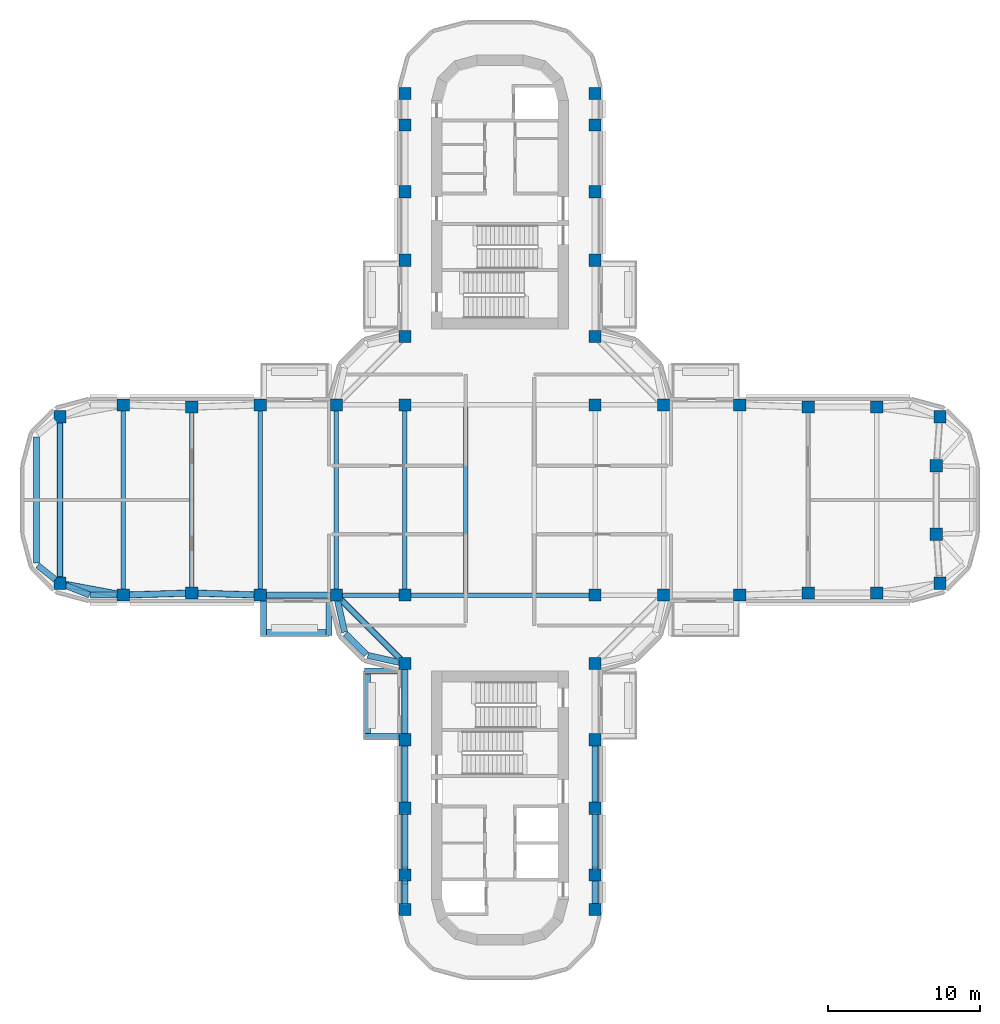
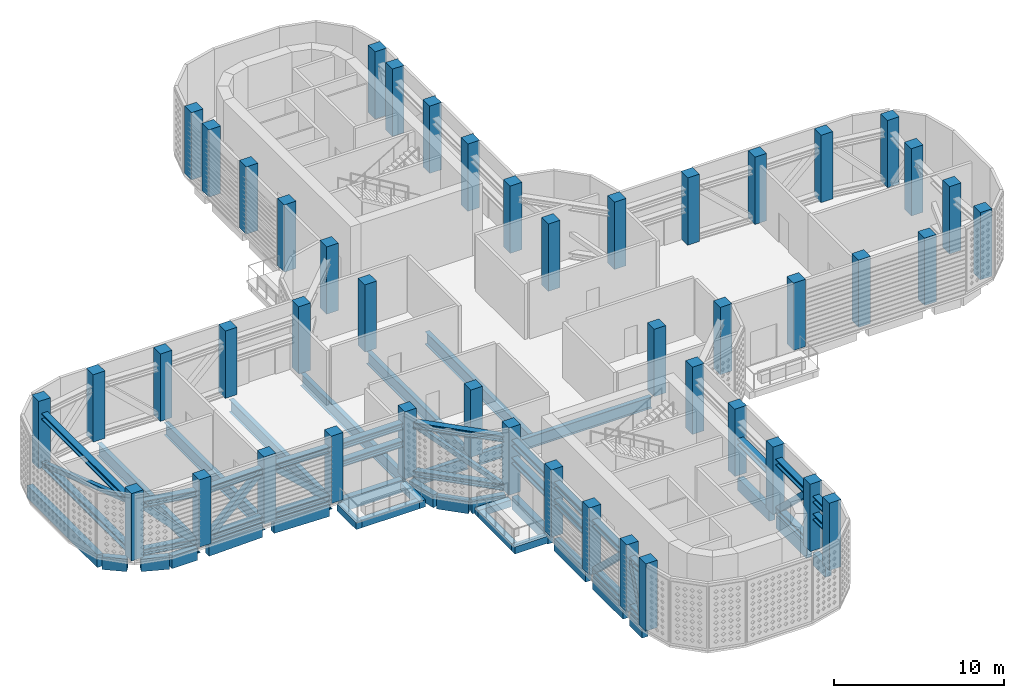
# One storey, part 1 of 21: 46 columns, 33 members, 31 beams.
"""IFC4 building model written with IfcOpenShell, lengths in metres."""

import ifcopenshell
import ifcopenshell.guid

model = None  # the IFC model being written
_history = None  # IfcOwnerHistory: only IFC2X3 demands one
_inside = {}  # id of a spatial element -> (the spatial element, [elements in it])
_under = {}  # id of a project, library or spatial element -> (it, [spatial elements below it])
_declared = {}  # id of a project -> (the project, [libraries it declares])
_typed = {}  # id of a type object -> (the type object, [elements of that type])
_made_of = {}  # id of a material, layer set ... -> (it, [elements and type objects made of it])


def new_model(schema):
    """Start an empty IFC model of exactly this schema.

    Asked for "IFC4X3", IfcOpenShell would pick the latest addendum, in which some entities
    have other attributes; the version numbers below select the first issue.
    IFC2X3 requires an IfcOwnerHistory on every rooted entity: one is made here for all.
    """
    global model, _history
    if schema == "IFC4X3":
        model = ifcopenshell.file(schema_version=(4, 3, 0, 0))
    else:
        model = ifcopenshell.file(schema=schema)
    _inside.clear()
    _under.clear()
    _declared.clear()
    _typed.clear()
    _made_of.clear()
    _history = None
    if model.schema == "IFC2X3":
        org = make("IfcOrganization", Name="unknown")
        user = make(
            "IfcPersonAndOrganization",
            ThePerson=make("IfcPerson", FamilyName="unknown"),
            TheOrganization=org,
        )
        app = make(
            "IfcApplication",
            ApplicationDeveloper=org,
            Version="unknown",
            ApplicationFullName="unknown",
            ApplicationIdentifier="unknown",
        )
        _history = make(
            "IfcOwnerHistory",
            OwningUser=user,
            OwningApplication=app,
            ChangeAction="ADDED",
            CreationDate=0,
        )
    return model


def make(cls, **values):
    """One entity of the class cls with the attributes given. An attribute that is None is left unset."""
    return model.create_entity(
        cls, **{name: value for name, value in values.items() if value is not None}
    )


def rooted(cls, **values):
    """An entity with a GlobalId (a new one), such as an element, a storey or a relation."""
    return make(cls, GlobalId=ifcopenshell.guid.new(), OwnerHistory=_history, **values)


def si_unit(unit_type, name, prefix=None):
    """IfcSIUnit, for example si_unit("LENGTHUNIT", "METRE", prefix="MILLI")."""
    return make("IfcSIUnit", UnitType=unit_type, Prefix=prefix, Name=name)


def assignment(units):
    """IfcUnitAssignment: the units of a project."""
    return None if units is None else make("IfcUnitAssignment", Units=units)


def point(xyz):
    """IfcCartesianPoint."""
    return None if xyz is None else make("IfcCartesianPoint", Coordinates=xyz)


def direction(xyz):
    """IfcDirection."""
    return None if xyz is None else make("IfcDirection", DirectionRatios=xyz)


def frame(location, z_axis=None, x_axis=None):
    """IfcAxis2Placement3D, a coordinate frame: its origin and axes. An axis left out is left unset."""
    return make(
        "IfcAxis2Placement3D",
        Location=point(location),
        Axis=direction(z_axis),
        RefDirection=direction(x_axis),
    )


def frame_2d(location, x_axis=None):
    """IfcAxis2Placement2D, a coordinate frame in the plane: its origin and x axis."""
    return make(
        "IfcAxis2Placement2D", Location=point(location), RefDirection=direction(x_axis)
    )


def origin():
    """The frame at (0, 0, 0) with its axes left unset."""
    return frame((0.0, 0.0, 0.0))


def origin_2d():
    """The frame at (0, 0) in the plane with its x axis left unset."""
    return frame_2d((0.0, 0.0))


def place(relative_to, where):
    """IfcLocalPlacement: puts the frame where relative to a parent placement (None: the world)."""
    return make(
        "IfcLocalPlacement", PlacementRelTo=relative_to, RelativePlacement=where
    )


def context(
    kind, dimensions, precision=None, world=None, true_north=None, identifier=None
):
    """IfcGeometricRepresentationContext, for example the 3D "Model" context."""
    return make(
        "IfcGeometricRepresentationContext",
        ContextIdentifier=identifier,
        ContextType=kind,
        CoordinateSpaceDimension=dimensions,
        Precision=precision,
        WorldCoordinateSystem=world,
        TrueNorth=true_north,
    )


def subcontext(parent, identifier, kind, view, scale=None):
    """IfcGeometricRepresentationSubContext, for example "Body" below "Model"."""
    return make(
        "IfcGeometricRepresentationSubContext",
        ContextIdentifier=identifier,
        ContextType=kind,
        ParentContext=parent,
        TargetScale=scale,
        TargetView=view,
    )


def project(units=None, contexts=None):
    """IfcProject with its units and contexts."""
    return rooted(
        "IfcProject",
        Name="project",
        RepresentationContexts=contexts,
        UnitsInContext=assignment(units),
    )


def spatial(cls, under=None, at=None, **own):
    """A site, building, storey or space (cls), placed at a placement, below another one or the project."""
    s = rooted(cls, ObjectPlacement=at, **own)
    if under is not None:
        _under.setdefault(under.id(), (under, []))[1].append(s)
    return s


def profile(cls, at=None, kind="AREA", **sizes):
    """A parametric profile (cls). Its sizes go by their IFC names, for example OverallWidth=200.0."""
    return make(cls, ProfileType=kind, Position=at, **sizes)


def rectangle(**sizes):
    """IfcRectangleProfileDef."""
    return profile("IfcRectangleProfileDef", **sizes)


def hollow_rectangle(**sizes):
    """IfcRectangleHollowProfileDef."""
    return profile("IfcRectangleHollowProfileDef", **sizes)


def i_section(**sizes):
    """IfcIShapeProfileDef."""
    return profile("IfcIShapeProfileDef", **sizes)


def extrude(swept, where, along, depth):
    """IfcExtrudedAreaSolid: the profile swept, set in the frame where, extruded along a direction by depth."""
    return make(
        "IfcExtrudedAreaSolid",
        SweptArea=swept,
        Position=where,
        ExtrudedDirection=direction(along),
        Depth=depth,
    )


def shape(context_of_items, identifier, shape_type, items):
    """IfcShapeRepresentation: the items that make up one representation, for example the "Body"."""
    return make(
        "IfcShapeRepresentation",
        ContextOfItems=context_of_items,
        RepresentationIdentifier=identifier,
        RepresentationType=shape_type,
        Items=items,
    )


def material(Name=None, Category=None):
    """IfcMaterial."""
    return make("IfcMaterial", Name=Name, Category=Category)


def material_profile(
    of_material, cross_section, Name=None, Category=None, Priority=None
):
    """IfcMaterialProfile: a cross section and its material."""
    return make(
        "IfcMaterialProfile",
        Name=Name,
        Material=of_material,
        Profile=cross_section,
        Priority=Priority,
        Category=Category,
    )


def profile_set(profiles, Name=None, composite=None):
    """IfcMaterialProfileSet."""
    return make(
        "IfcMaterialProfileSet",
        Name=Name,
        MaterialProfiles=profiles,
        CompositeProfile=composite,
    )


def made_of(thing, what):
    """Note that an element or type object is made of a material, layer set ...; save() writes the relation."""
    if what is not None:
        _made_of.setdefault(what.id(), (what, []))[1].append(thing)
    return thing


def type_object(cls, material=None, **own):
    """A type object (cls), such as IfcWallType, which elements share."""
    return made_of(rooted(cls, **own), material)


def element(
    cls,
    number,
    at=None,
    inside=None,
    cuts=None,
    type_object=None,
    material=None,
    context=None,
    identifier="Body",
    shape_type=None,
    held_by="IfcProductDefinitionShape",
    body=None,
    shapes=None,
    **own,
):
    """One element of the class cls, such as IfcWall. Its Tag is "e" and its number.

    at: its placement. inside: the storey or other place that contains it. cuts: it is an
    opening in that element (IfcRelVoidsElement). A single representation is given by context,
    identifier, shape_type and body (its items); several are given by shapes. held_by: the class
    of the entity that holds the representations. save() writes the other relations.
    """
    e = rooted(cls, Tag="e%d" % number, ObjectPlacement=at, **own)
    if body is not None:
        shapes = [shape(context, identifier, shape_type, body)]
    if shapes is not None:
        e.Representation = make(held_by, Representations=shapes)
    if inside is not None:
        _inside.setdefault(inside.id(), (inside, []))[1].append(e)
    if cuts is not None:
        rooted(
            "IfcRelVoidsElement", RelatingBuildingElement=cuts, RelatedOpeningElement=e
        )
    if type_object is not None:
        _typed.setdefault(type_object.id(), (type_object, []))[1].append(e)
    return made_of(e, material)


def aggregate(whole, parts):
    """IfcRelAggregates: a whole, such as a stair, and the parts it consists of."""
    return rooted("IfcRelAggregates", RelatingObject=whole, RelatedObjects=parts)


def save(model, path):
    """Write the relations noted so far, then the file.

    IfcRelAggregates (storeys below a building ...), IfcRelContainedInSpatialStructure (elements
    in a storey), IfcRelDefinesByType, IfcRelAssociatesMaterial and IfcRelDeclares: one each for
    every whole, place, type object, material and project.
    """
    for whole, parts in _under.values():
        aggregate(whole, parts)
    for where, things in _inside.values():
        rooted(
            "IfcRelContainedInSpatialStructure",
            RelatedElements=things,
            RelatingStructure=where,
        )
    for kind, things in _typed.values():
        rooted("IfcRelDefinesByType", RelatedObjects=things, RelatingType=kind)
    for what, things in _made_of.values():
        rooted("IfcRelAssociatesMaterial", RelatedObjects=things, RelatingMaterial=what)
    for by, libraries in _declared.values():
        rooted("IfcRelDeclares", RelatingContext=by, RelatedDefinitions=libraries)
    model.write(path)


model = new_model("IFC4")

# Units and contexts
model_context = context("Model", 3, precision=1e-05, world=origin(), true_north=direction((0.0, 1.0)))
body_context = subcontext(model_context, "Body", "Model", "MODEL_VIEW")
ifc_project = project(units=[si_unit("LENGTHUNIT", "METRE"), si_unit("AREAUNIT", "SQUARE_METRE"), si_unit("VOLUMEUNIT", "CUBIC_METRE"), si_unit("PLANEANGLEUNIT", "RADIAN"), si_unit("MASSUNIT", "GRAM", prefix="KILO")], contexts=[model_context])

# Site, building, storey
site_placement = place(None, origin())
site = spatial("IfcSite", under=ifc_project, at=site_placement, CompositionType="ELEMENT")
building_placement = place(site_placement, origin())
building = spatial("IfcBuilding", under=site, at=building_placement, Name="Zarbagh Exchange Tower", CompositionType="ELEMENT")
storey_placement = place(building_placement, frame((0.0, 0.0, 190.39990234375)))
storey = spatial("IfcBuildingStorey", under=building, at=storey_placement, Name="L46", CompositionType="ELEMENT", Elevation=190.39990234375)

# Columns
ifc_material_1 = material(Name="Concrete C50/60", Category="concrete")
ifc_material_profile_1 = material_profile(ifc_material_1, rectangle(XDim=0.800048828125, YDim=0.800048828125, at=origin_2d()), Name="RC column 800 x 800 C50/60")
ifc_profile_set_1 = profile_set([ifc_material_profile_1], Name="Concrete C50/60")
column_type = type_object("IfcColumnType", Name="RC column 800 x 800 C50/60", PredefinedType="COLUMN", material=ifc_profile_set_1)
for number, where, z_axis, x_axis, name in (
    (1, (-28.907958984375, -5.47509765625, 0.0), (0.0, 0.0, 1.0), (1.0, 0.0, 0.0), "C4 11/R"),
    (2, (-28.907958984375, 5.47509765625, 0.0), (0.0, 0.0, 1.0), (1.0, 0.0, 0.0), "C4 11/U"),
    (3, (-24.75, -6.25, 0.0), (0.0, 0.0, 1.0), (1.0, 0.0, 0.0), "C4 12/R"),
    (4, (-24.75, 6.25, 0.0), (0.0, 0.0, 1.0), (1.0, 0.0, 0.0), "C4 12/U"),
    (5, (-20.25, -6.110107421875, 0.0), (0.0, 0.0, 1.0), (1.0, 0.0, 0.0), "C4 13/R"),
    (6, (-20.25, 6.110107421875, 0.0), (0.0, 0.0, 1.0), (1.0, 0.0, 0.0), "C4 13/U"),
    (7, (-15.75, -6.25, 0.0), (0.0, 0.0, 1.0), (1.0, 0.0, 0.0), "C4 14/R"),
    (8, (-15.75, 6.25, 0.0), (0.0, 0.0, 1.0), (1.0, 0.0, 0.0), "C4 14/U"),
    (9, (-10.75, -6.25, 0.0), (0.0, 0.0, 1.0), (1.0, 0.0, 0.0), "C4 15/R"),
    (10, (-10.75, 6.25, 0.0), (0.0, 0.0, 1.0), (1.0, 0.0, 0.0), "C4 15/U"),
    (11, (-6.25, -26.89990234375, 0.0), (0.0, 0.0, 1.0), (1.0, 0.0, 0.0), "C4 16/L"),
    (12, (-6.25, -24.64990234375, 0.0), (0.0, 0.0, 1.0), (1.0, 0.0, 0.0), "C4 16/M"),
    (13, (-6.25, -20.25, 0.0), (0.0, 0.0, 1.0), (1.0, 0.0, 0.0), "C4 16/N"),
    (14, (-6.25, -15.75, 0.0), (0.0, 0.0, 1.0), (1.0, 0.0, 0.0), "C4 16/P"),
    (15, (-6.25, -10.75, 0.0), (0.0, 0.0, 1.0), (1.0, 0.0, 0.0), "C4 16/Q"),
    (16, (-6.25, -6.25, 0.0), (0.0, 0.0, 1.0), (1.0, 0.0, 0.0), "C4 16/R"),
    (17, (-6.25, 6.25, 0.0), (0.0, 0.0, 1.0), (1.0, 0.0, 0.0), "C4 16/U"),
    (18, (-6.25, 10.75, 0.0), (0.0, 0.0, 1.0), (1.0, 0.0, 0.0), "C4 16/V"),
    (19, (-6.25, 15.75, 0.0), (0.0, 0.0, 1.0), (1.0, 0.0, 0.0), "C4 16/W"),
    (20, (-6.25, 20.25, 0.0), (0.0, 0.0, 1.0), (1.0, 0.0, 0.0), "C4 16/X"),
    (21, (-6.25, 24.64990234375, 0.0), (0.0, 0.0, 1.0), (1.0, 0.0, 0.0), "C4 16/Y"),
    (22, (-6.25, 26.699951171875, 0.0), (0.0, 0.0, 1.0), (1.0, 0.0, 0.0), "C4 16/Z"),
    (23, (6.25, -26.89990234375, 0.0), (0.0, 0.0, 1.0), (1.0, 0.0, 0.0), "C4 19/L"),
    (24, (6.25, -24.64990234375, 0.0), (0.0, 0.0, 1.0), (1.0, 0.0, 0.0), "C4 19/M"),
    (25, (6.25, -20.25, 0.0), (0.0, 0.0, 1.0), (1.0, 0.0, 0.0), "C4 19/N"),
    (26, (6.25, -15.75, 0.0), (0.0, 0.0, 1.0), (1.0, 0.0, 0.0), "C4 19/P"),
    (27, (6.25, -10.75, 0.0), (0.0, 0.0, 1.0), (1.0, 0.0, 0.0), "C4 19/Q"),
    (28, (6.25, -6.25, 0.0), (0.0, 0.0, 1.0), (1.0, 0.0, 0.0), "C4 19/R"),
    (29, (6.25, 6.25, 0.0), (0.0, 0.0, 1.0), (1.0, 0.0, 0.0), "C4 19/U"),
    (30, (6.25, 10.75, 0.0), (0.0, 0.0, 1.0), (1.0, 0.0, 0.0), "C4 19/V"),
    (31, (6.25, 15.75, 0.0), (0.0, 0.0, 1.0), (1.0, 0.0, 0.0), "C4 19/W"),
    (32, (6.25, 20.25, 0.0), (0.0, 0.0, 1.0), (1.0, 0.0, 0.0), "C4 19/X"),
    (33, (6.25, 24.64990234375, 0.0), (0.0, 0.0, 1.0), (1.0, 0.0, 0.0), "C4 19/Y"),
    (34, (6.25, 26.699951171875, 0.0), (0.0, 0.0, 1.0), (1.0, 0.0, 0.0), "C4 19/Z"),
    (35, (10.75, -6.25, 0.0), (0.0, 0.0, 1.0), (1.0, 0.0, 0.0), "C4 20/R"),
    (36, (10.75, 6.25, 0.0), (0.0, 0.0, 1.0), (1.0, 0.0, 0.0), "C4 20/U"),
    (37, (15.75, -6.25, 0.0), (0.0, 0.0, 1.0), (1.0, 0.0, 0.0), "C4 21/R"),
    (38, (15.75, 6.25, 0.0), (0.0, 0.0, 1.0), (1.0, 0.0, 0.0), "C4 21/U"),
    (39, (20.25, -6.110107421875, 0.0), (0.0, 0.0, 1.0), (1.0, 0.0, 0.0), "C4 22/R"),
    (40, (20.25, 6.110107421875, 0.0), (0.0, 0.0, 1.0), (1.0, 0.0, 0.0), "C4 22/U"),
    (41, (24.75, -6.110107421875, 0.0), (0.0, 0.0, 1.0), (1.0, 0.0, 0.0), "C4 23/R"),
    (42, (24.75, 6.110107421875, 0.0), (0.0, 0.0, 1.0), (1.0, 0.0, 0.0), "C4 23/U"),
    (43, (28.907958984375, -5.47509765625, 0.0), (0.0, 0.0, 1.0), (1.0, 0.0, 0.0), "C4 24/R"),
    (44, (28.669921875, -2.25, 0.0), (0.0, 0.0, 1.0), (1.0, 0.0, 0.0), "C4 24/S"),
    (45, (28.669921875, 2.25, 0.0), (0.0, 0.0, 1.0), (1.0, 0.0, 0.0), "C4 24/T"),
    (46, (28.907958984375, 5.47509765625, 0.0), (0.0, 0.0, 1.0), (1.0, 0.0, 0.0), "C4 24/U"),
):
    element("IfcColumn", number, at=place(storey_placement, frame(where, z_axis=z_axis, x_axis=x_axis)), inside=storey, type_object=column_type, Name=name, PredefinedType="COLUMN", context=body_context, shape_type="SweptSolid", body=[
        extrude(rectangle(XDim=0.800048828125, YDim=0.800048828125, at=origin_2d()), origin(), (0.0, 0.0, 1.0), 4.85009765625),
    ])

# Members
ifc_material_2 = material(Name="Steel ASTM A992 Gr 50", Category="steel")
ifc_material_profile_2 = material_profile(ifc_material_2, i_section(OverallWidth=0.41650390625, OverallDepth=0.444580078125, WebThickness=0.0390625, FlangeThickness=0.062744140625, at=origin_2d()), Name="W14X342")
ifc_profile_set_2 = profile_set([ifc_material_profile_2], Name="Steel ASTM A992 Gr 50")
member_type_1 = type_object("IfcMemberType", Name="Belt truss chord W14X342", PredefinedType="CHORD", material=ifc_profile_set_2)
for number, where, z_axis, x_axis, name in (
    (47, (-6.53271484375, -10.46728515625, 0.222412109375), (-0.707106781187, 0.707106781187, 0.0), (-0.707106781187, -0.707106781187, 0.0), "Belt truss chord"),
    (48, (-6.53271484375, -10.46728515625, 3.7080078125), (-0.707106781187, 0.707106781187, 0.0), (-0.707106781187, -0.707106781187, 0.0), "Belt truss chord"),
):
    element("IfcMember", number, at=place(storey_placement, frame(where, z_axis=z_axis, x_axis=x_axis)), inside=storey, type_object=member_type_1, Name=name, PredefinedType="CHORD", context=body_context, shape_type="SweptSolid", body=[
        extrude(i_section(OverallWidth=0.41650390625, OverallDepth=0.444580078125, WebThickness=0.0390625, FlangeThickness=0.062744140625, at=origin_2d()), origin(), (0.0, 0.0, 1.0), 5.564208984375),
    ])
for number, where, z_axis, x_axis, name in (
    (49, (-28.907958984375, -5.074951171875, 0.222412109375), (0.0, 1.0, 0.0), (-1.0, 0.0, 0.0), "Belt truss chord"),
    (50, (-28.907958984375, -5.074951171875, 3.7080078125), (0.0, 1.0, 0.0), (-1.0, 0.0, 0.0), "Belt truss chord"),
):
    element("IfcMember", number, at=place(storey_placement, frame(where, z_axis=z_axis, x_axis=x_axis)), inside=storey, type_object=member_type_1, Name=name, PredefinedType="CHORD", context=body_context, shape_type="SweptSolid", body=[
        extrude(i_section(OverallWidth=0.41650390625, OverallDepth=0.444580078125, WebThickness=0.0390625, FlangeThickness=0.062744140625, at=origin_2d()), origin(), (0.0, 0.0, 1.0), 10.14990234375),
    ])
ifc_material_3 = material(Name="Steel ASTM A500 Gr C", Category="steel")
ifc_material_profile_3 = material_profile(ifc_material_3, hollow_rectangle(XDim=0.3046875, YDim=0.3046875, WallThickness=0.014892578125, at=origin_2d()), Name="HSS12X12X5/8")
ifc_profile_set_3 = profile_set([ifc_material_profile_3], Name="Steel ASTM A500 Gr C")
member_type_2 = type_object("IfcMemberType", Name="Belt truss diagonal HSS12X12X5/8", PredefinedType="BRACE", material=ifc_profile_set_3)
member_1_placement = place(storey_placement, frame((-6.53271484375, -10.46728515625, 0.222412109375), z_axis=(-0.599242955727, 0.599242955727, 0.530863221576), x_axis=(-0.707106781187, -0.707106781187, 0.0)))
element("IfcMember", 51, at=member_1_placement, inside=storey, type_object=member_type_2, Name="Belt truss diagonal", PredefinedType="BRACE", context=body_context, shape_type="SweptSolid", body=[
    extrude(hollow_rectangle(XDim=0.3046875, YDim=0.3046875, WallThickness=0.014892578125, at=origin_2d()), origin(), (0.0, 0.0, 1.0), 6.56591796875),
])
member_2_placement = place(storey_placement, frame((-28.907958984375, 5.074951171875, 0.222412109375), z_axis=(0.0, -0.945784905101, 0.324793647234), x_axis=(1.0, 0.0, 0.0)))
element("IfcMember", 52, at=member_2_placement, inside=storey, type_object=member_type_2, Name="Belt truss diagonal", PredefinedType="BRACE", context=body_context, shape_type="SweptSolid", body=[
    extrude(hollow_rectangle(XDim=0.3046875, YDim=0.3046875, WallThickness=0.014892578125, at=origin_2d()), origin(), (0.0, 0.0, 1.0), 10.731689453125),
])

# Beams
ifc_material_profile_4 = material_profile(ifc_material_2, i_section(OverallWidth=0.3046875, OverallDepth=0.904296875, WebThickness=0.01513671875, FlangeThickness=0.02001953125, at=origin_2d()), Name="W36X135")
ifc_profile_set_4 = profile_set([ifc_material_profile_4], Name="Steel ASTM A992 Gr 50")
beam_type_1 = type_object("IfcBeamType", Name="Floor beam W36X135", PredefinedType="BEAM", material=ifc_profile_set_4)
for number, where, z_axis, x_axis, name in (
    (53, (-10.75, -6.10400390625, -0.60205078125), (0.0, 1.0, 0.0), (-1.0, 0.0, 0.0), "Steel floor beam"),
    (54, (-6.25, -6.10400390625, -0.60205078125), (0.0, 1.0, 0.0), (-1.0, 0.0, 0.0), "Steel floor beam"),
    (55, (-2.25, -6.10400390625, -0.60205078125), (0.0, 1.0, 0.0), (-1.0, 0.0, 0.0), "Steel floor beam"),
):
    element("IfcBeam", number, at=place(storey_placement, frame(where, z_axis=z_axis, x_axis=x_axis)), inside=storey, type_object=beam_type_1, Name=name, PredefinedType="BEAM", context=body_context, shape_type="SweptSolid", body=[
        extrude(i_section(OverallWidth=0.3046875, OverallDepth=0.904296875, WebThickness=0.01513671875, FlangeThickness=0.02001953125, at=origin_2d()), origin(), (0.0, 0.0, 1.0), 12.2080078125),
    ])
beam_1_placement = place(storey_placement, frame((-15.75, -5.85009765625, -0.60205078125), z_axis=(0.0, 1.0, 0.0), x_axis=(-1.0, 0.0, 0.0)))
element("IfcBeam", 56, at=beam_1_placement, inside=storey, type_object=beam_type_1, Name="Steel floor beam", PredefinedType="BEAM", context=body_context, shape_type="SweptSolid", body=[
    extrude(i_section(OverallWidth=0.3046875, OverallDepth=0.904296875, WebThickness=0.01513671875, FlangeThickness=0.02001953125, at=origin_2d()), origin(), (0.0, 0.0, 1.0), 11.7001953125),
])
beam_2_placement = place(storey_placement, frame((-20.25, -5.7099609375, -0.60205078125), z_axis=(0.0, 1.0, 0.0), x_axis=(-1.0, 0.0, 0.0)))
element("IfcBeam", 57, at=beam_2_placement, inside=storey, type_object=beam_type_1, Name="Steel floor beam", PredefinedType="BEAM", context=body_context, shape_type="SweptSolid", body=[
    extrude(i_section(OverallWidth=0.3046875, OverallDepth=0.904296875, WebThickness=0.01513671875, FlangeThickness=0.02001953125, at=origin_2d()), origin(), (0.0, 0.0, 1.0), 11.419921875),
])
beam_3_placement = place(storey_placement, frame((-24.75, -5.85009765625, -0.60205078125), z_axis=(0.0, 1.0, 0.0), x_axis=(-1.0, 0.0, 0.0)))
element("IfcBeam", 58, at=beam_3_placement, inside=storey, type_object=beam_type_1, Name="Steel floor beam", PredefinedType="BEAM", context=body_context, shape_type="SweptSolid", body=[
    extrude(i_section(OverallWidth=0.3046875, OverallDepth=0.904296875, WebThickness=0.01513671875, FlangeThickness=0.02001953125, at=origin_2d()), origin(), (0.0, 0.0, 1.0), 11.7001953125),
])
ifc_material_profile_5 = material_profile(ifc_material_2, i_section(OverallWidth=0.2919921875, OverallDepth=0.835693359375, WebThickness=0.013916015625, FlangeThickness=0.018798828125, at=origin_2d()), Name="W33X118")
ifc_profile_set_5 = profile_set([ifc_material_profile_5], Name="Steel ASTM A992 Gr 50")
beam_type_2 = type_object("IfcBeamType", Name="Floor girder W33X118", PredefinedType="BEAM", material=ifc_profile_set_5)
beam_4_placement = place(storey_placement, frame((-10.35009765625, -6.25, -0.567626953125), z_axis=(1.0, 0.0, 0.0), x_axis=(0.0, 1.0, 0.0)))
element("IfcBeam", 59, at=beam_4_placement, inside=storey, type_object=beam_type_2, Name="Steel girder", PredefinedType="BEAM", context=body_context, shape_type="SweptSolid", body=[
    extrude(i_section(OverallWidth=0.2919921875, OverallDepth=0.835693359375, WebThickness=0.013916015625, FlangeThickness=0.018798828125, at=origin_2d()), origin(), (0.0, 0.0, 1.0), 3.7001953125),
])
beam_5_placement = place(storey_placement, frame((-5.85009765625, -6.25, -0.567626953125), z_axis=(1.0, 0.0, 0.0), x_axis=(0.0, 1.0, 0.0)))
element("IfcBeam", 60, at=beam_5_placement, inside=storey, type_object=beam_type_2, Name="Steel girder", PredefinedType="BEAM", context=body_context, shape_type="SweptSolid", body=[
    extrude(i_section(OverallWidth=0.2919921875, OverallDepth=0.835693359375, WebThickness=0.013916015625, FlangeThickness=0.018798828125, at=origin_2d()), origin(), (0.0, 0.0, 1.0), 11.7001953125),
])

# Members
ifc_material_profile_6 = material_profile(ifc_material_2, i_section(OverallWidth=0.421630859375, OverallDepth=0.46484375, WebThickness=0.044921875, FlangeThickness=0.072509765625, at=origin_2d()), Name="W14X398")
ifc_profile_set_6 = profile_set([ifc_material_profile_6], Name="Steel ASTM A992 Gr 50")
member_type_3 = type_object("IfcMemberType", Name="Outrigger truss chord W14X398", PredefinedType="CHORD", material=ifc_profile_set_6)
for number, where, z_axis, x_axis, name in (
    (61, (-6.25, -26.5, 0.232421875), (0.0, 1.0, 0.0), (-1.0, 0.0, 0.0), "Outrigger truss chord"),
    (62, (-6.25, -26.5, 3.69775390625), (0.0, 1.0, 0.0), (-1.0, 0.0, 0.0), "Outrigger truss chord"),
):
    element("IfcMember", number, at=place(storey_placement, frame(where, z_axis=z_axis, x_axis=x_axis)), inside=storey, type_object=member_type_3, Name=name, PredefinedType="CHORD", context=body_context, shape_type="SweptSolid", body=[
        extrude(i_section(OverallWidth=0.421630859375, OverallDepth=0.46484375, WebThickness=0.044921875, FlangeThickness=0.072509765625, at=origin_2d()), origin(), (0.0, 0.0, 1.0), 1.449951171875),
    ])
for number, where, z_axis, x_axis, name in (
    (63, (-6.25, -24.25, 0.232421875), (0.0, 1.0, 0.0), (-1.0, 0.0, 0.0), "Outrigger truss chord"),
    (64, (-6.25, -24.25, 3.69775390625), (0.0, 1.0, 0.0), (-1.0, 0.0, 0.0), "Outrigger truss chord"),
):
    element("IfcMember", number, at=place(storey_placement, frame(where, z_axis=z_axis, x_axis=x_axis)), inside=storey, type_object=member_type_3, Name=name, PredefinedType="CHORD", context=body_context, shape_type="SweptSolid", body=[
        extrude(i_section(OverallWidth=0.421630859375, OverallDepth=0.46484375, WebThickness=0.044921875, FlangeThickness=0.072509765625, at=origin_2d()), origin(), (0.0, 0.0, 1.0), 3.60009765625),
    ])
for number, where, z_axis, x_axis, name in (
    (65, (-6.25, -19.85009765625, 2.4326171875), (0.0, 1.0, 0.0), (-1.0, 0.0, 0.0), "Outrigger truss chord"),
    (66, (-6.25, -19.85009765625, 3.69775390625), (0.0, 1.0, 0.0), (-1.0, 0.0, 0.0), "Outrigger truss chord"),
):
    element("IfcMember", number, at=place(storey_placement, frame(where, z_axis=z_axis, x_axis=x_axis)), inside=storey, type_object=member_type_3, Name=name, PredefinedType="CHORD", context=body_context, shape_type="SweptSolid", body=[
        extrude(i_section(OverallWidth=0.421630859375, OverallDepth=0.46484375, WebThickness=0.044921875, FlangeThickness=0.072509765625, at=origin_2d()), origin(), (0.0, 0.0, 1.0), 3.7001953125),
    ])
for number, where, z_axis, x_axis, name in (
    (67, (-6.25, -15.35009765625, 2.4326171875), (0.0, 1.0, 0.0), (-1.0, 0.0, 0.0), "Outrigger truss chord"),
    (68, (-6.25, -15.35009765625, 3.69775390625), (0.0, 1.0, 0.0), (-1.0, 0.0, 0.0), "Outrigger truss chord"),
    (69, (-11.14990234375, -6.25, 2.4326171875), (-1.0, 0.0, 0.0), (0.0, -1.0, 0.0), "Outrigger truss chord"),
    (70, (-11.14990234375, -6.25, 3.69775390625), (-1.0, 0.0, 0.0), (0.0, -1.0, 0.0), "Outrigger truss chord"),
):
    element("IfcMember", number, at=place(storey_placement, frame(where, z_axis=z_axis, x_axis=x_axis)), inside=storey, type_object=member_type_3, Name=name, PredefinedType="CHORD", context=body_context, shape_type="SweptSolid", body=[
        extrude(i_section(OverallWidth=0.421630859375, OverallDepth=0.46484375, WebThickness=0.044921875, FlangeThickness=0.072509765625, at=origin_2d()), origin(), (0.0, 0.0, 1.0), 4.2001953125),
    ])
for number, where, z_axis, x_axis, name in (
    (71, (-16.14990234375, -6.237548828125, 0.232421875), (-0.999515416033, 0.031127690444, 0.0), (-0.031127690444, -0.999515416033, 0.0), "Outrigger truss chord"),
    (72, (-16.14990234375, -6.237548828125, 3.69775390625), (-0.999515416033, 0.031127690444, 0.0), (-0.031127690444, -0.999515416033, 0.0), "Outrigger truss chord"),
    (73, (-20.64990234375, -6.122314453125, 0.232421875), (-0.999515416033, -0.031127690444, 0.0), (0.031127690444, -0.999515416033, 0.0), "Outrigger truss chord"),
    (74, (-20.64990234375, -6.122314453125, 3.69775390625), (-0.999515416033, -0.031127690444, 0.0), (0.031127690444, -0.999515416033, 0.0), "Outrigger truss chord"),
):
    element("IfcMember", number, at=place(storey_placement, frame(where, z_axis=z_axis, x_axis=x_axis)), inside=storey, type_object=member_type_3, Name=name, PredefinedType="CHORD", context=body_context, shape_type="SweptSolid", body=[
        extrude(i_section(OverallWidth=0.421630859375, OverallDepth=0.46484375, WebThickness=0.044921875, FlangeThickness=0.072509765625, at=origin_2d()), origin(), (0.0, 0.0, 1.0), 3.701904296875),
    ])
for number, where, z_axis, x_axis, name in (
    (75, (-25.143310546875, -6.1767578125, 0.232421875), (-0.983069862768, 0.183231124313, 0.0), (-0.183231124313, -0.983069862768, 0.0), "Outrigger truss chord"),
    (76, (-25.143310546875, -6.1767578125, 3.69775390625), (-0.983069862768, 0.183231124313, 0.0), (-0.183231124313, -0.983069862768, 0.0), "Outrigger truss chord"),
):
    element("IfcMember", number, at=place(storey_placement, frame(where, z_axis=z_axis, x_axis=x_axis)), inside=storey, type_object=member_type_3, Name=name, PredefinedType="CHORD", context=body_context, shape_type="SweptSolid", body=[
        extrude(i_section(OverallWidth=0.421630859375, OverallDepth=0.46484375, WebThickness=0.044921875, FlangeThickness=0.072509765625, at=origin_2d()), origin(), (0.0, 0.0, 1.0), 3.4296875),
    ])
member_3_placement = place(storey_placement, frame((6.25, -16.14990234375, 2.4326171875), z_axis=(0.0, -1.0, 0.0), x_axis=(1.0, 0.0, 0.0)))
element("IfcMember", 77, at=member_3_placement, inside=storey, type_object=member_type_3, Name="Outrigger truss chord", PredefinedType="CHORD", context=body_context, shape_type="SweptSolid", body=[
    extrude(i_section(OverallWidth=0.421630859375, OverallDepth=0.46484375, WebThickness=0.044921875, FlangeThickness=0.072509765625, at=origin_2d()), origin(), (0.0, 0.0, 1.0), 3.7001953125),
])
for number, where, z_axis, x_axis, name in (
    (78, (6.25, -20.64990234375, 0.232421875), (0.0, -1.0, 0.0), (1.0, 0.0, 0.0), "Outrigger truss chord"),
    (79, (6.25, -20.64990234375, 3.69775390625), (0.0, -1.0, 0.0), (1.0, 0.0, 0.0), "Outrigger truss chord"),
):
    element("IfcMember", number, at=place(storey_placement, frame(where, z_axis=z_axis, x_axis=x_axis)), inside=storey, type_object=member_type_3, Name=name, PredefinedType="CHORD", context=body_context, shape_type="SweptSolid", body=[
        extrude(i_section(OverallWidth=0.421630859375, OverallDepth=0.46484375, WebThickness=0.044921875, FlangeThickness=0.072509765625, at=origin_2d()), origin(), (0.0, 0.0, 1.0), 3.60009765625),
    ])
for number, where, z_axis, x_axis, name in (
    (80, (6.25, -25.050048828125, 2.4326171875), (0.0, -1.0, 0.0), (1.0, 0.0, 0.0), "Outrigger truss chord"),
    (81, (6.25, -25.050048828125, 3.69775390625), (0.0, -1.0, 0.0), (1.0, 0.0, 0.0), "Outrigger truss chord"),
):
    element("IfcMember", number, at=place(storey_placement, frame(where, z_axis=z_axis, x_axis=x_axis)), inside=storey, type_object=member_type_3, Name=name, PredefinedType="CHORD", context=body_context, shape_type="SweptSolid", body=[
        extrude(i_section(OverallWidth=0.421630859375, OverallDepth=0.46484375, WebThickness=0.044921875, FlangeThickness=0.072509765625, at=origin_2d()), origin(), (0.0, 0.0, 1.0), 1.449951171875),
    ])
ifc_material_profile_7 = material_profile(ifc_material_3, hollow_rectangle(XDim=0.406494140625, YDim=0.406494140625, WallThickness=0.017578125, at=origin_2d()), Name="HSS16X16X3/4")
ifc_profile_set_7 = profile_set([ifc_material_profile_7], Name="Steel ASTM A500 Gr C")
member_type_4 = type_object("IfcMemberType", Name="Outrigger truss diagonal HSS16X16X3/4", PredefinedType="BRACE", material=ifc_profile_set_7)
member_4_placement = place(storey_placement, frame((-6.25, -26.5, 0.232421875), z_axis=(0.0, 0.38599018271, 0.922502888262), x_axis=(-1.0, 0.0, 0.0)))
element("IfcMember", 82, at=member_4_placement, inside=storey, type_object=member_type_4, Name="Outrigger truss diagonal", PredefinedType="BRACE", context=body_context, shape_type="SweptSolid", body=[
    extrude(hollow_rectangle(XDim=0.406494140625, YDim=0.406494140625, WallThickness=0.017578125, at=origin_2d()), origin(), (0.0, 0.0, 1.0), 3.75634765625),
])
member_5_placement = place(storey_placement, frame((-6.25, -20.64990234375, 0.232421875), z_axis=(0.0, -0.720463051949, 0.693493324248), x_axis=(1.0, 0.0, 0.0)))
element("IfcMember", 83, at=member_5_placement, inside=storey, type_object=member_type_4, Name="Outrigger truss diagonal", PredefinedType="BRACE", context=body_context, shape_type="SweptSolid", body=[
    extrude(hollow_rectangle(XDim=0.406494140625, YDim=0.406494140625, WallThickness=0.017578125, at=origin_2d()), origin(), (0.0, 0.0, 1.0), 4.996826171875),
])
for number, where, z_axis, x_axis, name in (
    (84, (-16.14990234375, -6.237548828125, 0.232421875), (-0.72970304596, 0.022724982693, 0.683386449879), (-0.031127690444, -0.999515416033, 0.0), "Outrigger truss diagonal"),
    (85, (-24.35009765625, -6.237548828125, 0.232421875), (0.72970304596, 0.022724982693, 0.683386449879), (-0.031127690444, 0.999515416033, 0.0), "Outrigger truss diagonal"),
):
    element("IfcMember", number, at=place(storey_placement, frame(where, z_axis=z_axis, x_axis=x_axis)), inside=storey, type_object=member_type_4, Name=name, PredefinedType="BRACE", context=body_context, shape_type="SweptSolid", body=[
        extrude(hollow_rectangle(XDim=0.406494140625, YDim=0.406494140625, WallThickness=0.017578125, at=origin_2d()), origin(), (0.0, 0.0, 1.0), 5.07080078125),
    ])
member_6_placement = place(storey_placement, frame((-25.143310546875, -6.1767578125, 0.232421875), z_axis=(-0.691528365414, 0.128891673612, 0.710756960079), x_axis=(-0.183231124313, -0.983069862768, 0.0)))
element("IfcMember", 86, at=member_6_placement, inside=storey, type_object=member_type_4, Name="Outrigger truss diagonal", PredefinedType="BRACE", context=body_context, shape_type="SweptSolid", body=[
    extrude(hollow_rectangle(XDim=0.406494140625, YDim=0.406494140625, WallThickness=0.017578125, at=origin_2d()), origin(), (0.0, 0.0, 1.0), 4.87548828125),
])
member_7_placement = place(storey_placement, frame((6.25, -20.64990234375, 0.232421875), z_axis=(0.0, -0.720463051949, 0.693493324248), x_axis=(1.0, 0.0, 0.0)))
element("IfcMember", 87, at=member_7_placement, inside=storey, type_object=member_type_4, Name="Outrigger truss diagonal", PredefinedType="BRACE", context=body_context, shape_type="SweptSolid", body=[
    extrude(hollow_rectangle(XDim=0.406494140625, YDim=0.406494140625, WallThickness=0.017578125, at=origin_2d()), origin(), (0.0, 0.0, 1.0), 4.996826171875),
])

# Beams
ifc_material_4 = material(Name="Concrete C40/50", Category="concrete")
ifc_material_profile_8 = material_profile(ifc_material_4, rectangle(XDim=0.39990234375, YDim=0.5, at=origin_2d()), Name="RC bay edge beam 400 x 500 C40/50")
ifc_profile_set_8 = profile_set([ifc_material_profile_8], Name="Concrete C40/50")
beam_type_3 = type_object("IfcBeamType", Name="RC bay edge beam 400 x 500 C40/50", PredefinedType="BEAM", material=ifc_profile_set_8)
for number, where, z_axis, x_axis, name in (
    (88, (-8.699951171875, -15.35009765625, -0.39990234375), (0.0, 1.0, 0.0), (-1.0, 0.0, 0.0), "RC bay edge beam"),
    (89, (-15.35009765625, -8.699951171875, -0.39990234375), (1.0, 0.0, 0.0), (0.0, 1.0, 0.0), "RC bay edge beam"),
):
    element("IfcBeam", number, at=place(storey_placement, frame(where, z_axis=z_axis, x_axis=x_axis)), inside=storey, type_object=beam_type_3, Name=name, PredefinedType="BEAM", context=body_context, shape_type="SweptSolid", body=[
        extrude(rectangle(XDim=0.39990234375, YDim=0.5, at=origin_2d()), origin(), (0.0, 0.0, 1.0), 3.920166015625),
    ])
ifc_material_profile_9 = material_profile(ifc_material_4, rectangle(XDim=0.39990234375, YDim=0.5, at=origin_2d()), Name="RC cantilever beam 400 x 500 C40/50")
ifc_profile_set_9 = profile_set([ifc_material_profile_9], Name="Concrete C40/50")
beam_type_4 = type_object("IfcBeamType", Name="RC cantilever beam 400 x 500 C40/50", PredefinedType="BEAM", material=ifc_profile_set_9)
for number, where, z_axis, x_axis, name in (
    (90, (-6.64990234375, -15.550048828125, -0.39990234375), (-1.0, 0.0, 0.0), (0.0, -1.0, 0.0), "RC cantilever beam"),
    (91, (-6.64990234375, -11.22998046875, -0.39990234375), (-1.0, 0.0, 0.0), (0.0, -1.0, 0.0), "RC cantilever beam"),
    (92, (-15.550048828125, -6.64990234375, -0.39990234375), (0.0, -1.0, 0.0), (1.0, 0.0, 0.0), "RC cantilever beam"),
    (93, (-11.22998046875, -6.64990234375, -0.39990234375), (0.0, -1.0, 0.0), (1.0, 0.0, 0.0), "RC cantilever beam"),
):
    element("IfcBeam", number, at=place(storey_placement, frame(where, z_axis=z_axis, x_axis=x_axis)), inside=storey, type_object=beam_type_4, Name=name, PredefinedType="BEAM", context=body_context, shape_type="SweptSolid", body=[
        extrude(rectangle(XDim=0.39990234375, YDim=0.5, at=origin_2d()), origin(), (0.0, 0.0, 1.0), 2.25),
    ])
ifc_material_profile_10 = material_profile(ifc_material_1, rectangle(XDim=0.39990234375, YDim=0.89990234375, at=origin_2d()), Name="RC spandrel beam 400 x 900 C50/60")
ifc_profile_set_10 = profile_set([ifc_material_profile_10], Name="Concrete C50/60")
beam_type_5 = type_object("IfcBeamType", Name="RC spandrel beam 400 x 900 C50/60", PredefinedType="SPANDREL", material=ifc_profile_set_10)
beam_6_placement = place(storey_placement, frame((-6.25, -26.5, -0.599853515625), z_axis=(0.0, 1.0, 0.0), x_axis=(-1.0, 0.0, 0.0)))
element("IfcBeam", 94, at=beam_6_placement, inside=storey, type_object=beam_type_5, Name="RC spandrel beam", PredefinedType="SPANDREL", context=body_context, shape_type="SweptSolid", body=[
    extrude(rectangle(XDim=0.39990234375, YDim=0.89990234375, at=origin_2d()), origin(), (0.0, 0.0, 1.0), 1.449951171875),
])
beam_7_placement = place(storey_placement, frame((-6.25, -24.25, -0.599853515625), z_axis=(0.0, 1.0, 0.0), x_axis=(-1.0, 0.0, 0.0)))
element("IfcBeam", 95, at=beam_7_placement, inside=storey, type_object=beam_type_5, Name="RC spandrel beam", PredefinedType="SPANDREL", context=body_context, shape_type="SweptSolid", body=[
    extrude(rectangle(XDim=0.39990234375, YDim=0.89990234375, at=origin_2d()), origin(), (0.0, 0.0, 1.0), 3.60009765625),
])
beam_8_placement = place(storey_placement, frame((-6.25, -19.85009765625, -0.599853515625), z_axis=(0.0, 1.0, 0.0), x_axis=(-1.0, 0.0, 0.0)))
element("IfcBeam", 96, at=beam_8_placement, inside=storey, type_object=beam_type_5, Name="RC spandrel beam", PredefinedType="SPANDREL", context=body_context, shape_type="SweptSolid", body=[
    extrude(rectangle(XDim=0.39990234375, YDim=0.89990234375, at=origin_2d()), origin(), (0.0, 0.0, 1.0), 3.7001953125),
])
beam_9_placement = place(storey_placement, frame((-6.25, -15.35009765625, -0.599853515625), z_axis=(0.0, 1.0, 0.0), x_axis=(-1.0, 0.0, 0.0)))
element("IfcBeam", 97, at=beam_9_placement, inside=storey, type_object=beam_type_5, Name="RC spandrel beam", PredefinedType="SPANDREL", context=body_context, shape_type="SweptSolid", body=[
    extrude(rectangle(XDim=0.39990234375, YDim=0.89990234375, at=origin_2d()), origin(), (0.0, 0.0, 1.0), 4.2001953125),
])
beam_10_placement = place(storey_placement, frame((-6.640625, -10.66357421875, -0.599853515625), z_axis=(-0.976384278741, 0.216041061437, 0.0), x_axis=(-0.216041061437, -0.976384278741, 0.0)))
element("IfcBeam", 98, at=beam_10_placement, inside=storey, type_object=beam_type_5, Name="RC spandrel beam", PredefinedType="SPANDREL", context=body_context, shape_type="SweptSolid", body=[
    extrude(rectangle(XDim=0.39990234375, YDim=0.89990234375, at=origin_2d()), origin(), (0.0, 0.0, 1.0), 2.0927734375),
])
beam_11_placement = place(storey_placement, frame((-8.782470703125, -10.15771484375, -0.599853515625), z_axis=(-0.707106781187, 0.707106781187, 0.0), x_axis=(-0.707106781187, -0.707106781187, 0.0)))
element("IfcBeam", 99, at=beam_11_placement, inside=storey, type_object=beam_type_5, Name="RC spandrel beam", PredefinedType="SPANDREL", context=body_context, shape_type="SweptSolid", body=[
    extrude(rectangle(XDim=0.39990234375, YDim=0.89990234375, at=origin_2d()), origin(), (0.0, 0.0, 1.0), 1.94482421875),
])
beam_12_placement = place(storey_placement, frame((-10.21142578125, -8.68408203125, -0.599853515625), z_axis=(-0.216041061437, 0.976384278741, 0.0), x_axis=(-0.976384278741, -0.216041061437, 0.0)))
element("IfcBeam", 100, at=beam_12_placement, inside=storey, type_object=beam_type_5, Name="RC spandrel beam", PredefinedType="SPANDREL", context=body_context, shape_type="SweptSolid", body=[
    extrude(rectangle(XDim=0.39990234375, YDim=0.89990234375, at=origin_2d()), origin(), (0.0, 0.0, 1.0), 2.0927734375),
])
beam_13_placement = place(storey_placement, frame((-11.14990234375, -6.25, -0.599853515625), z_axis=(-1.0, 0.0, 0.0), x_axis=(0.0, -1.0, 0.0)))
element("IfcBeam", 101, at=beam_13_placement, inside=storey, type_object=beam_type_5, Name="RC spandrel beam", PredefinedType="SPANDREL", context=body_context, shape_type="SweptSolid", body=[
    extrude(rectangle(XDim=0.39990234375, YDim=0.89990234375, at=origin_2d()), origin(), (0.0, 0.0, 1.0), 4.2001953125),
])
for number, where, z_axis, x_axis, name in (
    (102, (-16.14990234375, -6.237548828125, -0.599853515625), (-0.999515416033, 0.031127690444, 0.0), (-0.031127690444, -0.999515416033, 0.0), "RC spandrel beam"),
    (103, (-20.64990234375, -6.122314453125, -0.599853515625), (-0.999515416033, -0.031127690444, 0.0), (0.031127690444, -0.999515416033, 0.0), "RC spandrel beam"),
):
    element("IfcBeam", number, at=place(storey_placement, frame(where, z_axis=z_axis, x_axis=x_axis)), inside=storey, type_object=beam_type_5, Name=name, PredefinedType="SPANDREL", context=body_context, shape_type="SweptSolid", body=[
        extrude(rectangle(XDim=0.39990234375, YDim=0.89990234375, at=origin_2d()), origin(), (0.0, 0.0, 1.0), 3.701904296875),
    ])
beam_14_placement = place(storey_placement, frame((-25.14990234375, -6.25, -0.599853515625), z_axis=(-1.0, 0.0, 0.0), x_axis=(0.0, -1.0, 0.0)))
element("IfcBeam", 104, at=beam_14_placement, inside=storey, type_object=beam_type_5, Name="RC spandrel beam", PredefinedType="SPANDREL", context=body_context, shape_type="SweptSolid", body=[
    extrude(rectangle(XDim=0.39990234375, YDim=0.89990234375, at=origin_2d()), origin(), (0.0, 0.0, 1.0), 1.746337890625),
])
beam_15_placement = place(storey_placement, frame((-26.969482421875, -6.236083984375, -0.599853515625), z_axis=(-0.930809681556, 0.365504222578, 0.0), x_axis=(-0.365504222578, -0.930809681556, 0.0)))
element("IfcBeam", 105, at=beam_15_placement, inside=storey, type_object=beam_type_5, Name="RC spandrel beam", PredefinedType="SPANDREL", context=body_context, shape_type="SweptSolid", body=[
    extrude(rectangle(XDim=0.39990234375, YDim=0.89990234375, at=origin_2d()), origin(), (0.0, 0.0, 1.0), 1.6826171875),
])
beam_16_placement = place(storey_placement, frame((-29.22021484375, -5.22509765625, -0.599853515625), z_axis=(-0.780546373788, 0.625097879029, 0.0), x_axis=(-0.625097879029, -0.780546373788, 0.0)))
element("IfcBeam", 106, at=beam_16_placement, inside=storey, type_object=beam_type_5, Name="RC spandrel beam", PredefinedType="SPANDREL", context=body_context, shape_type="SweptSolid", body=[
    extrude(rectangle(XDim=0.39990234375, YDim=0.89990234375, at=origin_2d()), origin(), (0.0, 0.0, 1.0), 1.477783203125),
])
beam_17_placement = place(storey_placement, frame((-30.44873046875, -4.14501953125, -0.599853515625), z_axis=(0.0, 1.0, 0.0), x_axis=(-1.0, 0.0, 0.0)))
element("IfcBeam", 107, at=beam_17_placement, inside=storey, type_object=beam_type_5, Name="RC spandrel beam", PredefinedType="SPANDREL", context=body_context, shape_type="SweptSolid", body=[
    extrude(rectangle(XDim=0.39990234375, YDim=0.89990234375, at=origin_2d()), origin(), (0.0, 0.0, 1.0), 8.2900390625),
])
beam_18_placement = place(storey_placement, frame((6.25, -16.14990234375, -0.599853515625), z_axis=(0.0, -1.0, 0.0), x_axis=(1.0, 0.0, 0.0)))
element("IfcBeam", 108, at=beam_18_placement, inside=storey, type_object=beam_type_5, Name="RC spandrel beam", PredefinedType="SPANDREL", context=body_context, shape_type="SweptSolid", body=[
    extrude(rectangle(XDim=0.39990234375, YDim=0.89990234375, at=origin_2d()), origin(), (0.0, 0.0, 1.0), 3.7001953125),
])
beam_19_placement = place(storey_placement, frame((6.25, -20.64990234375, -0.599853515625), z_axis=(0.0, -1.0, 0.0), x_axis=(1.0, 0.0, 0.0)))
element("IfcBeam", 109, at=beam_19_placement, inside=storey, type_object=beam_type_5, Name="RC spandrel beam", PredefinedType="SPANDREL", context=body_context, shape_type="SweptSolid", body=[
    extrude(rectangle(XDim=0.39990234375, YDim=0.89990234375, at=origin_2d()), origin(), (0.0, 0.0, 1.0), 3.60009765625),
])
beam_20_placement = place(storey_placement, frame((6.25, -25.050048828125, -0.599853515625), z_axis=(0.0, -1.0, 0.0), x_axis=(1.0, 0.0, 0.0)))
element("IfcBeam", 110, at=beam_20_placement, inside=storey, type_object=beam_type_5, Name="RC spandrel beam", PredefinedType="SPANDREL", context=body_context, shape_type="SweptSolid", body=[
    extrude(rectangle(XDim=0.39990234375, YDim=0.89990234375, at=origin_2d()), origin(), (0.0, 0.0, 1.0), 1.449951171875),
])

save(model, "model.ifc")
